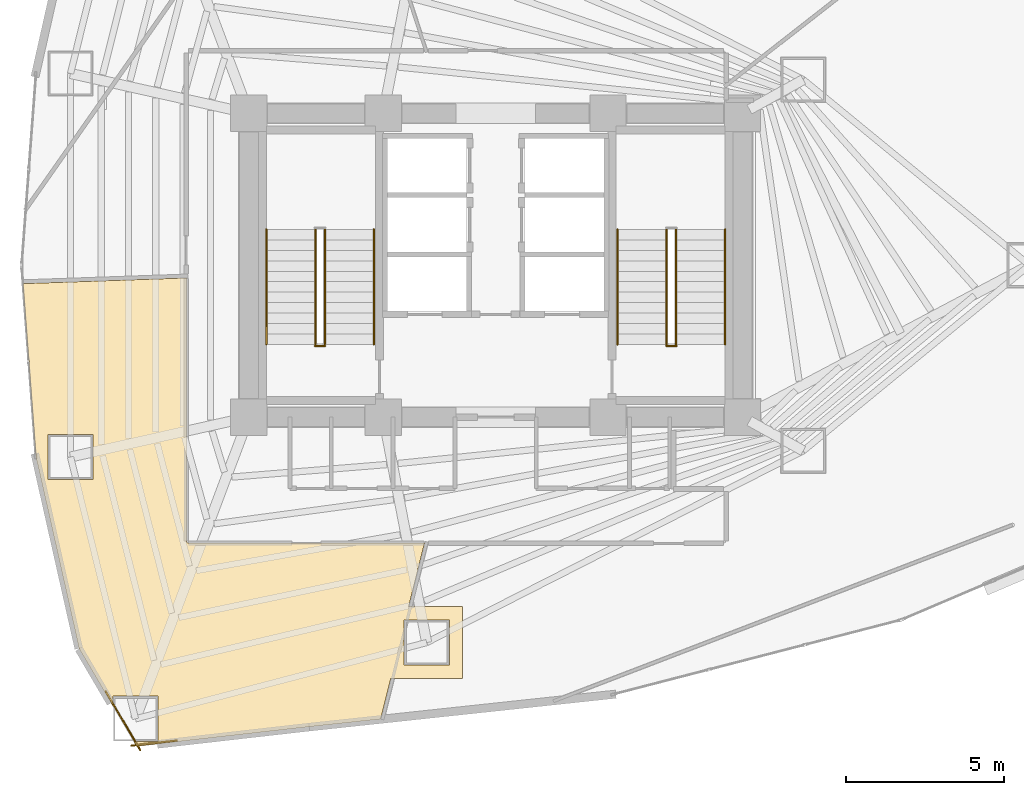
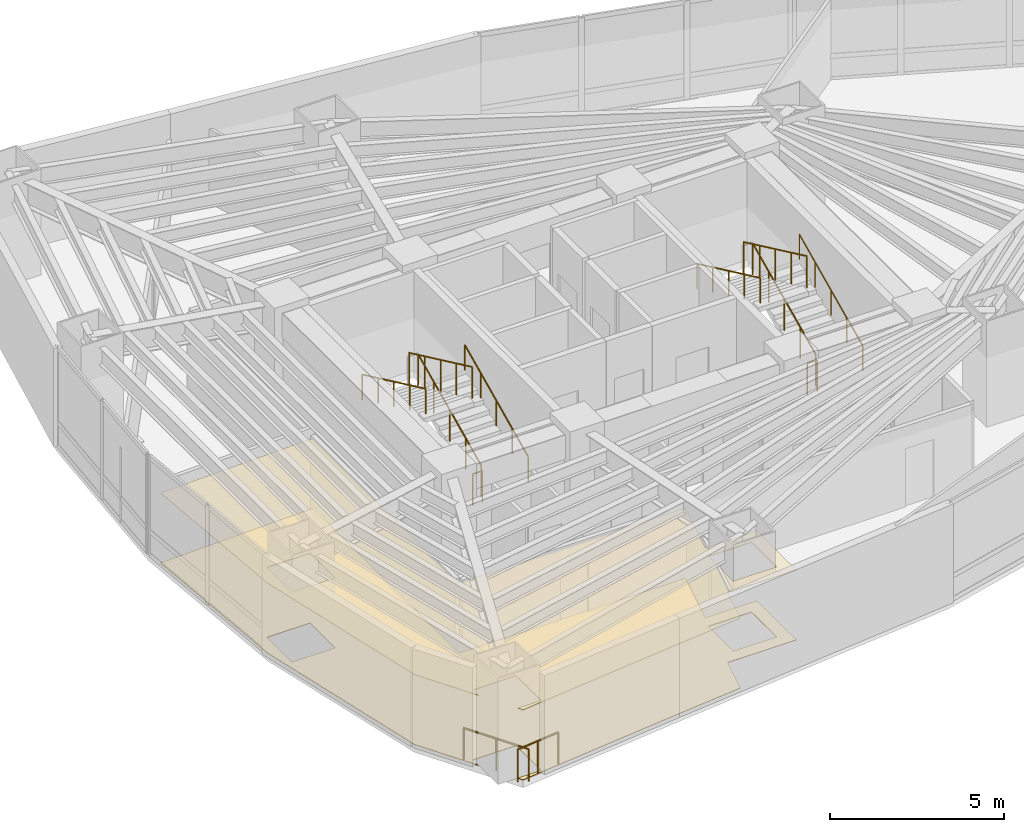
# One storey, part 17 of 20: 12 railings, 2 coverings.
"""IFC4 building model written with IfcOpenShell, lengths in metres."""

from ifc_helpers import new_model, si_unit, direction, frame, origin, origin_2d, place, context, subcontext, project, spatial, polyline, circle, outline, extrude, material, layer, layer_set, type_object, element, save


model = new_model("IFC4")

# Units and contexts
model_context = context("Model", 3, precision=1e-05, world=origin(), true_north=direction((0.0, 1.0)))
body_context = subcontext(model_context, "Body", "Model", "MODEL_VIEW")
ifc_project = project(units=[si_unit("LENGTHUNIT", "METRE"), si_unit("AREAUNIT", "SQUARE_METRE"), si_unit("VOLUMEUNIT", "CUBIC_METRE"), si_unit("PLANEANGLEUNIT", "RADIAN"), si_unit("MASSUNIT", "GRAM", prefix="KILO")], contexts=[model_context])

# Site, building, storey
site_placement = place(None, origin())
site = spatial("IfcSite", under=ifc_project, at=site_placement, CompositionType="ELEMENT")
building_placement = place(site_placement, origin())
building = spatial("IfcBuilding", under=site, at=building_placement, Name="Menara Vayukalpa", CompositionType="ELEMENT")
storey_placement = place(building_placement, frame((0.0, 0.0, 61.080078125)))
storey = spatial("IfcBuildingStorey", under=building, at=storey_placement, Name="L14", CompositionType="ELEMENT", Elevation=61.080078125)

# Coverings
ifc_material_1 = material(Name="Mineral Fibre Acoustic Ceiling Tile", Category="masonry")
ifc_layer_1 = layer(ifc_material_1, 0.02490234375)
ifc_layer_set_1 = layer_set([ifc_layer_1], Name="Mineral Fibre Acoustic Ceiling Tile")
covering_type_1 = type_object("IfcCoveringType", Name="COV-CLG1", PredefinedType="CEILING", material=ifc_layer_set_1)
covering_1_placement = place(storey_placement, frame((0.0, 0.0, 2.449951171875)))
element("IfcCovering", 1, at=covering_1_placement, inside=storey, type_object=covering_type_1, Name="L14 Digital Engineering Lab Acoustic Ceiling", PredefinedType="CEILING", context=body_context, shape_type="SweptSolid", body=[
    extrude(outline(polyline([(24.554443359375, 8.942138671875), (22.284423828125, 8.942138671875), (22.284423828125, 8.94970703125), (21.964111328125, 7.664794921875), (21.963623046875, 7.663818359375), (21.96337890625, 7.662841796875), (21.962890625, 7.661865234375), (21.96240234375, 7.660888671875), (21.961669921875, 7.660400390625), (21.9609375, 7.65966796875), (21.960205078125, 7.658935546875), (21.959228515625, 7.658447265625), (21.958251953125, 7.657958984375), (21.95751953125, 7.65771484375), (21.956298828125, 7.6572265625), (21.955322265625, 7.6572265625), (19.70068359375, 7.415771484375), (19.700439453125, 7.415771484375), (14.258056640625, 6.798583984375), (14.257080078125, 6.79833984375), (14.256103515625, 6.79833984375), (14.255126953125, 6.798583984375), (14.254150390625, 6.798828125), (14.25341796875, 6.799072265625), (14.25244140625, 6.799560546875), (14.251708984375, 6.7998046875), (14.250732421875, 6.800537109375), (14.25, 6.801025390625), (14.24951171875, 6.8017578125), (14.248779296875, 6.802490234375), (14.248291015625, 6.80322265625), (14.16162109375, 6.95068359375), (14.9326171875, 6.95068359375), (14.9326171875, 8.380615234375), (13.502685546875, 8.380615234375), (13.502685546875, 8.07177734375), (12.437744140625, 9.88330078125), (12.437255859375, 9.884033203125), (12.43701171875, 9.885009765625), (12.4365234375, 9.885986328125), (11.07421875, 15.941162109375), (11.073974609375, 15.942626953125), (10.6640625, 21.407958984375), (10.6640625, 21.408935546875), (10.664306640625, 21.409912109375), (10.664306640625, 21.410888671875), (10.66455078125, 21.411865234375), (10.6650390625, 21.412841796875), (10.66552734375, 21.413818359375), (10.666015625, 21.41455078125), (10.666748046875, 21.415283203125), (10.66748046875, 21.416015625), (10.668212890625, 21.416748046875), (10.6689453125, 21.417236328125), (10.669921875, 21.417724609375), (10.6708984375, 21.418212890625), (10.671875, 21.41845703125), (10.672607421875, 21.418701171875), (10.673828125, 21.418701171875), (15.819580078125, 21.598388671875), (15.82080078125, 21.598388671875), (15.82177734375, 21.598388671875), (15.822509765625, 21.597900390625), (15.823486328125, 21.59765625), (15.824462890625, 21.597412109375), (15.825439453125, 21.5966796875), (15.826171875, 21.59619140625), (15.826904296875, 21.595703125), (15.82763671875, 21.594970703125), (15.828125, 21.593994140625), (15.828857421875, 21.59326171875), (15.8291015625, 21.59228515625), (15.82958984375, 21.59130859375), (15.829833984375, 21.59033203125), (15.829833984375, 21.58935546875), (15.830078125, 21.58837890625), (15.830078125, 13.290283203125), (15.830322265625, 13.283203125), (15.831298828125, 13.2763671875), (15.8330078125, 13.269775390625), (15.835205078125, 13.26318359375), (15.838134765625, 13.257080078125), (15.841796875, 13.251220703125), (15.845947265625, 13.24560546875), (15.8505859375, 13.240478515625), (15.85546875, 13.236083984375), (15.861083984375, 13.231689453125), (15.866943359375, 13.228271484375), (15.873291015625, 13.225341796875), (15.879638671875, 13.222900390625), (15.88623046875, 13.22119140625), (15.893310546875, 13.220458984375), (15.900390625, 13.219970703125), (23.336181640625, 13.219970703125), (23.33740234375, 13.219970703125), (23.33837890625, 13.2197265625), (23.33935546875, 13.219482421875), (23.340087890625, 13.21923828125), (23.341064453125, 13.21875), (23.342041015625, 13.21826171875), (23.3427734375, 13.217529296875), (23.343505859375, 13.216796875), (23.34423828125, 13.21630859375), (23.3447265625, 13.21533203125), (23.34521484375, 13.214599609375), (23.345703125, 13.21337890625), (23.345947265625, 13.212646484375), (23.34619140625, 13.211669921875), (23.34619140625, 13.210693359375), (23.34619140625, 13.209716796875), (23.34619140625, 13.20849609375), (23.345947265625, 13.20751953125), (22.848388671875, 11.212158203125), (24.554443359375, 11.212158203125), (24.554443359375, 8.942138671875)]), holes=[polyline([(12.879150390625, 16.655517578125), (11.44921875, 16.655517578125), (11.44921875, 15.225341796875), (12.879150390625, 15.225341796875), (12.879150390625, 16.655517578125)]), polyline([(24.134521484375, 10.792236328125), (22.704345703125, 10.792236328125), (22.704345703125, 9.3623046875), (24.134521484375, 9.3623046875), (24.134521484375, 10.792236328125)])]), origin(), (0.0, 0.0, 1.0), 0.02490234375),
])
ifc_material_2 = material(Name="Porcelain Stoneware Floor Tile", Category="masonry")
ifc_layer_2 = layer(ifc_material_2, 0.02001953125)
ifc_layer_set_2 = layer_set([ifc_layer_2], Name="Porcelain Stoneware Floor Tile")
covering_type_2 = type_object("IfcCoveringType", Name="COV-FLR1", PredefinedType="FLOORING", material=ifc_layer_set_2)
covering_2_placement = place(storey_placement, origin())
element("IfcCovering", 2, at=covering_2_placement, inside=storey, type_object=covering_type_2, Name="L14 Digital Engineering Lab Porcelain Flooring", PredefinedType="FLOORING", context=body_context, shape_type="SweptSolid", body=[
    extrude(outline(polyline([(24.554443359375, 8.942138671875), (22.284423828125, 8.942138671875), (22.284423828125, 8.94970703125), (21.964111328125, 7.664794921875), (21.963623046875, 7.663818359375), (21.96337890625, 7.662841796875), (21.962890625, 7.661865234375), (21.96240234375, 7.660888671875), (21.961669921875, 7.660400390625), (21.9609375, 7.65966796875), (21.960205078125, 7.658935546875), (21.959228515625, 7.658447265625), (21.958251953125, 7.657958984375), (21.95751953125, 7.65771484375), (21.956298828125, 7.6572265625), (21.955322265625, 7.6572265625), (19.70068359375, 7.415771484375), (19.700439453125, 7.415771484375), (14.258056640625, 6.798583984375), (14.257080078125, 6.79833984375), (14.256103515625, 6.79833984375), (14.255126953125, 6.798583984375), (14.254150390625, 6.798828125), (14.25341796875, 6.799072265625), (14.25244140625, 6.799560546875), (14.251708984375, 6.7998046875), (14.250732421875, 6.800537109375), (14.25, 6.801025390625), (14.24951171875, 6.8017578125), (14.248779296875, 6.802490234375), (14.248291015625, 6.80322265625), (14.16162109375, 6.95068359375), (14.9326171875, 6.95068359375), (14.9326171875, 8.380615234375), (13.502685546875, 8.380615234375), (13.502685546875, 8.07177734375), (12.437744140625, 9.88330078125), (12.437255859375, 9.884033203125), (12.43701171875, 9.885009765625), (12.4365234375, 9.885986328125), (11.07421875, 15.941162109375), (11.073974609375, 15.942626953125), (10.6640625, 21.407958984375), (10.6640625, 21.408935546875), (10.664306640625, 21.409912109375), (10.664306640625, 21.410888671875), (10.66455078125, 21.411865234375), (10.6650390625, 21.412841796875), (10.66552734375, 21.413818359375), (10.666015625, 21.41455078125), (10.666748046875, 21.415283203125), (10.66748046875, 21.416015625), (10.668212890625, 21.416748046875), (10.6689453125, 21.417236328125), (10.669921875, 21.417724609375), (10.6708984375, 21.418212890625), (10.671875, 21.41845703125), (10.672607421875, 21.418701171875), (10.673828125, 21.418701171875), (15.819580078125, 21.598388671875), (15.82080078125, 21.598388671875), (15.82177734375, 21.598388671875), (15.822509765625, 21.597900390625), (15.823486328125, 21.59765625), (15.824462890625, 21.597412109375), (15.825439453125, 21.5966796875), (15.826171875, 21.59619140625), (15.826904296875, 21.595703125), (15.82763671875, 21.594970703125), (15.828125, 21.593994140625), (15.828857421875, 21.59326171875), (15.8291015625, 21.59228515625), (15.82958984375, 21.59130859375), (15.829833984375, 21.59033203125), (15.829833984375, 21.58935546875), (15.830078125, 21.58837890625), (15.830078125, 13.290283203125), (15.830322265625, 13.283203125), (15.831298828125, 13.2763671875), (15.8330078125, 13.269775390625), (15.835205078125, 13.26318359375), (15.838134765625, 13.257080078125), (15.841796875, 13.251220703125), (15.845947265625, 13.24560546875), (15.8505859375, 13.240478515625), (15.85546875, 13.236083984375), (15.861083984375, 13.231689453125), (15.866943359375, 13.228271484375), (15.873291015625, 13.225341796875), (15.879638671875, 13.222900390625), (15.88623046875, 13.22119140625), (15.893310546875, 13.220458984375), (15.900390625, 13.219970703125), (23.336181640625, 13.219970703125), (23.33740234375, 13.219970703125), (23.33837890625, 13.2197265625), (23.33935546875, 13.219482421875), (23.340087890625, 13.21923828125), (23.341064453125, 13.21875), (23.342041015625, 13.21826171875), (23.3427734375, 13.217529296875), (23.343505859375, 13.216796875), (23.34423828125, 13.21630859375), (23.3447265625, 13.21533203125), (23.34521484375, 13.214599609375), (23.345703125, 13.21337890625), (23.345947265625, 13.212646484375), (23.34619140625, 13.211669921875), (23.34619140625, 13.210693359375), (23.34619140625, 13.209716796875), (23.34619140625, 13.20849609375), (23.345947265625, 13.20751953125), (22.848388671875, 11.212158203125), (24.554443359375, 11.212158203125), (24.554443359375, 8.942138671875)]), holes=[polyline([(12.879150390625, 16.655517578125), (11.44921875, 16.655517578125), (11.44921875, 15.225341796875), (12.879150390625, 15.225341796875), (12.879150390625, 16.655517578125)]), polyline([(24.134521484375, 10.792236328125), (22.704345703125, 10.792236328125), (22.704345703125, 9.3623046875), (24.134521484375, 9.3623046875), (24.134521484375, 10.792236328125)])]), origin(), (0.0, 0.0, 1.0), 0.02001953125),
])

# Railings
ifc_material_3 = material(Name="Laminated Glass and Stainless Steel 316 Guardrail", Category="steel")
railing_type_1 = type_object("IfcRailingType", Name="RLG-EXT115", PredefinedType="GUARDRAIL", material=ifc_material_3)
railing_1_placement = place(storey_placement, frame((13.27978515625, 8.529541015625, 0.0)))
element("IfcRailing", 3, at=railing_1_placement, inside=storey, type_object=railing_type_1, Name="L14 Column Corner Spandrel Guardrail 13-1", PredefinedType="GUARDRAIL", context=body_context, shape_type="SweptSolid", body=[
    extrude(circle(Radius=0.02392578125, at=origin_2d()), frame((0.0, 0.0, 1.1259765625), z_axis=(0.506816821418, -0.862053774151, 0.0), x_axis=(0.862053774151, 0.506816821418, 0.0)), (0.0, 0.0, 1.0), 2.15185546875),
    extrude(circle(Radius=0.02099609375, at=origin_2d()), origin(), (0.0, 0.0, 1.0), 1.101806640625),
    extrude(circle(Radius=0.02099609375, at=origin_2d()), frame((0.54541015625, -0.927490234375, 0.0)), (0.0, 0.0, 1.0), 1.101806640625),
    extrude(circle(Radius=0.02099609375, at=origin_2d()), frame((1.090576171875, -1.85498046875, 0.0)), (0.0, 0.0, 1.0), 1.101806640625),
])
railing_2_placement = place(storey_placement, frame((14.08154296875, 6.81884765625, 0.0)))
element("IfcRailing", 4, at=railing_2_placement, inside=storey, type_object=railing_type_1, Name="L14 Column Corner Spandrel Guardrail 14-1", PredefinedType="GUARDRAIL", context=body_context, shape_type="SweptSolid", body=[
    extrude(circle(Radius=0.02392578125, at=origin_2d()), frame((0.0, 0.0, 1.1259765625), z_axis=(0.993641249981, 0.112592479038, 0.0), x_axis=(-0.112592479038, 0.993641249981, 0.0)), (0.0, 0.0, 1.0), 1.45068359375),
    extrude(circle(Radius=0.02099609375, at=origin_2d()), origin(), (0.0, 0.0, 1.0), 1.101806640625),
    extrude(circle(Radius=0.02099609375, at=origin_2d()), frame((0.720703125, 0.08154296875, 0.0)), (0.0, 0.0, 1.0), 1.101806640625),
    extrude(circle(Radius=0.02099609375, at=origin_2d()), frame((1.44140625, 0.163330078125, 0.0)), (0.0, 0.0, 1.0), 1.101806640625),
])
ifc_material_4 = material(Name="Powder-Coated Galvanised Steel Guardrail", Category="steel")
railing_type_2 = type_object("IfcRailingType", Name="RLG-STG110", PredefinedType="GUARDRAIL", material=ifc_material_4)
railing_3_placement = place(storey_placement, frame((20.199951171875, 19.5, 0.155029296875)))
element("IfcRailing", 5, at=railing_3_placement, inside=storey, type_object=railing_type_2, Name="L14 ST-1 stair guard 1", PredefinedType="GUARDRAIL", context=body_context, shape_type="SweptSolid", body=[
    extrude(circle(Radius=0.02392578125, at=origin_2d()), frame((0.0, 0.0, 1.09619140625), z_axis=(0.0, 0.90513990983, 0.425113800803), x_axis=(-1.0, 0.0, 0.0)), (0.0, 0.0, 1.0), 4.01025390625),
    extrude(circle(Radius=0.02099609375, at=origin_2d()), origin(), (0.0, 0.0, 1.0), 1.072021484375),
    extrude(circle(Radius=0.02099609375, at=origin_2d()), frame((0.0, 0.907470703125, 0.42626953125)), (0.0, 0.0, 1.0), 1.072021484375),
    extrude(circle(Radius=0.02099609375, at=origin_2d()), frame((0.0, 1.81494140625, 0.8525390625)), (0.0, 0.0, 1.0), 1.072021484375),
    extrude(circle(Radius=0.02099609375, at=origin_2d()), frame((0.0, 2.722412109375, 1.278564453125)), (0.0, 0.0, 1.0), 1.072021484375),
    extrude(circle(Radius=0.02099609375, at=origin_2d()), frame((0.0, 3.6298828125, 1.704833984375)), (0.0, 0.0, 1.0), 1.072021484375),
])
railing_4_placement = place(storey_placement, frame((19.89990234375, 23.1298828125, 2.014892578125)))
element("IfcRailing", 6, at=railing_4_placement, inside=storey, type_object=railing_type_2, Name="L14 ST-1 stair guard 3", PredefinedType="GUARDRAIL", context=body_context, shape_type="SweptSolid", body=[
    extrude(circle(Radius=0.02392578125, at=origin_2d()), frame((0.0, 0.0, 1.09619140625), z_axis=(0.0, -0.90511648382, 0.425163675209), x_axis=(1.0, 0.0, 0.0)), (0.0, 0.0, 1.0), 4.010498046875),
    extrude(circle(Radius=0.02099609375, at=origin_2d()), origin(), (0.0, 0.0, 1.0), 1.072021484375),
    extrude(circle(Radius=0.02099609375, at=origin_2d()), frame((0.0, -0.907470703125, 0.42626953125)), (0.0, 0.0, 1.0), 1.072021484375),
    extrude(circle(Radius=0.02099609375, at=origin_2d()), frame((0.0, -1.81494140625, 0.8525390625)), (0.0, 0.0, 1.0), 1.072021484375),
    extrude(circle(Radius=0.02099609375, at=origin_2d()), frame((0.0, -2.722412109375, 1.27880859375)), (0.0, 0.0, 1.0), 1.072021484375),
    extrude(circle(Radius=0.02099609375, at=origin_2d()), frame((0.0, -3.6298828125, 1.705078125)), (0.0, 0.0, 1.0), 1.072021484375),
])
railing_5_placement = place(storey_placement, frame((20.2099609375, 19.449951171875, 0.0)))
element("IfcRailing", 7, at=railing_5_placement, inside=storey, type_object=railing_type_2, Name="L14 ST-1 stair guard 4", PredefinedType="GUARDRAIL", context=body_context, shape_type="SweptSolid", body=[
    extrude(circle(Radius=0.02392578125, at=origin_2d()), frame((0.0, 0.0, 1.09619140625), z_axis=(-1.0, 0.0, 0.0), x_axis=(0.0, -1.0, 0.0)), (0.0, 0.0, 1.0), 0.320068359375),
    extrude(circle(Radius=0.02099609375, at=origin_2d()), origin(), (0.0, 0.0, 1.0), 1.072021484375),
    extrude(circle(Radius=0.02099609375, at=origin_2d()), frame((-0.320068359375, 0.0, 0.0)), (0.0, 0.0, 1.0), 1.072021484375),
])
railing_6_placement = place(storey_placement, frame((31.300048828125, 19.5, 0.155029296875)))
element("IfcRailing", 8, at=railing_6_placement, inside=storey, type_object=railing_type_2, Name="L14 ST-2 stair guard 1", PredefinedType="GUARDRAIL", context=body_context, shape_type="SweptSolid", body=[
    extrude(circle(Radius=0.02392578125, at=origin_2d()), frame((0.0, 0.0, 1.09619140625), z_axis=(0.0, 0.90513990983, 0.425113800803), x_axis=(-1.0, 0.0, 0.0)), (0.0, 0.0, 1.0), 4.01025390625),
    extrude(circle(Radius=0.02099609375, at=origin_2d()), origin(), (0.0, 0.0, 1.0), 1.072021484375),
    extrude(circle(Radius=0.02099609375, at=origin_2d()), frame((0.0, 0.907470703125, 0.42626953125)), (0.0, 0.0, 1.0), 1.072021484375),
    extrude(circle(Radius=0.02099609375, at=origin_2d()), frame((0.0, 1.81494140625, 0.8525390625)), (0.0, 0.0, 1.0), 1.072021484375),
    extrude(circle(Radius=0.02099609375, at=origin_2d()), frame((0.0, 2.722412109375, 1.278564453125)), (0.0, 0.0, 1.0), 1.072021484375),
    extrude(circle(Radius=0.02099609375, at=origin_2d()), frame((0.0, 3.6298828125, 1.704833984375)), (0.0, 0.0, 1.0), 1.072021484375),
])
railing_7_placement = place(storey_placement, frame((31.0, 23.1298828125, 2.014892578125)))
element("IfcRailing", 9, at=railing_7_placement, inside=storey, type_object=railing_type_2, Name="L14 ST-2 stair guard 3", PredefinedType="GUARDRAIL", context=body_context, shape_type="SweptSolid", body=[
    extrude(circle(Radius=0.02392578125, at=origin_2d()), frame((0.0, 0.0, 1.09619140625), z_axis=(0.0, -0.90511648382, 0.425163675209), x_axis=(1.0, 0.0, 0.0)), (0.0, 0.0, 1.0), 4.010498046875),
    extrude(circle(Radius=0.02099609375, at=origin_2d()), origin(), (0.0, 0.0, 1.0), 1.072021484375),
    extrude(circle(Radius=0.02099609375, at=origin_2d()), frame((0.0, -0.907470703125, 0.42626953125)), (0.0, 0.0, 1.0), 1.072021484375),
    extrude(circle(Radius=0.02099609375, at=origin_2d()), frame((0.0, -1.81494140625, 0.8525390625)), (0.0, 0.0, 1.0), 1.072021484375),
    extrude(circle(Radius=0.02099609375, at=origin_2d()), frame((0.0, -2.722412109375, 1.27880859375)), (0.0, 0.0, 1.0), 1.072021484375),
    extrude(circle(Radius=0.02099609375, at=origin_2d()), frame((0.0, -3.6298828125, 1.705078125)), (0.0, 0.0, 1.0), 1.072021484375),
])
railing_8_placement = place(storey_placement, frame((31.31005859375, 19.449951171875, 0.0)))
element("IfcRailing", 10, at=railing_8_placement, inside=storey, type_object=railing_type_2, Name="L14 ST-2 stair guard 4", PredefinedType="GUARDRAIL", context=body_context, shape_type="SweptSolid", body=[
    extrude(circle(Radius=0.02392578125, at=origin_2d()), frame((0.0, 0.0, 1.09619140625), z_axis=(-1.0, 0.0, 0.0), x_axis=(0.0, -1.0, 0.0)), (0.0, 0.0, 1.0), 0.320068359375),
    extrude(circle(Radius=0.02099609375, at=origin_2d()), origin(), (0.0, 0.0, 1.0), 1.072021484375),
    extrude(circle(Radius=0.02099609375, at=origin_2d()), frame((-0.320068359375, 0.0, 0.0)), (0.0, 0.0, 1.0), 1.072021484375),
])
ifc_material_5 = material(Name="Stainless Steel 316 Tubular Handrail", Category="steel")
railing_type_3 = type_object("IfcRailingType", Name="RLG-STH090", PredefinedType="HANDRAIL", material=ifc_material_5)
railing_9_placement = place(storey_placement, frame((21.75, 19.5, 0.155029296875)))
element("IfcRailing", 11, at=railing_9_placement, inside=storey, type_object=railing_type_3, Name="L14 ST-1 stair handrail 1", PredefinedType="HANDRAIL", context=body_context, shape_type="SweptSolid", body=[
    extrude(circle(Radius=0.02392578125, at=origin_2d()), frame((0.0, 0.0, 0.8759765625), z_axis=(0.0, 0.90513990983, 0.425113800803), x_axis=(-1.0, 0.0, 0.0)), (0.0, 0.0, 1.0), 4.01025390625),
    extrude(circle(Radius=0.02099609375, at=origin_2d()), origin(), (0.0, 0.0, 1.0), 0.851806640625),
    extrude(circle(Radius=0.02099609375, at=origin_2d()), frame((0.0, 0.907470703125, 0.42626953125)), (0.0, 0.0, 1.0), 0.851806640625),
    extrude(circle(Radius=0.02099609375, at=origin_2d()), frame((0.0, 1.81494140625, 0.8525390625)), (0.0, 0.0, 1.0), 0.851806640625),
    extrude(circle(Radius=0.02099609375, at=origin_2d()), frame((0.0, 2.722412109375, 1.278564453125)), (0.0, 0.0, 1.0), 0.851806640625),
    extrude(circle(Radius=0.02099609375, at=origin_2d()), frame((0.0, 3.6298828125, 1.704833984375)), (0.0, 0.0, 1.0), 0.851806640625),
])
railing_10_placement = place(storey_placement, frame((18.35009765625, 23.1298828125, 2.014892578125)))
element("IfcRailing", 12, at=railing_10_placement, inside=storey, type_object=railing_type_3, Name="L14 ST-1 stair handrail 2", PredefinedType="HANDRAIL", context=body_context, shape_type="SweptSolid", body=[
    extrude(circle(Radius=0.02392578125, at=origin_2d()), frame((0.0, 0.0, 0.8759765625), z_axis=(0.0, -0.90511648382, 0.425163675209), x_axis=(1.0, 0.0, 0.0)), (0.0, 0.0, 1.0), 4.010498046875),
    extrude(circle(Radius=0.02099609375, at=origin_2d()), origin(), (0.0, 0.0, 1.0), 0.851806640625),
    extrude(circle(Radius=0.02099609375, at=origin_2d()), frame((0.0, -0.907470703125, 0.42626953125)), (0.0, 0.0, 1.0), 0.851806640625),
    extrude(circle(Radius=0.02099609375, at=origin_2d()), frame((0.0, -1.81494140625, 0.8525390625)), (0.0, 0.0, 1.0), 0.851806640625),
    extrude(circle(Radius=0.02099609375, at=origin_2d()), frame((0.0, -2.722412109375, 1.27880859375)), (0.0, 0.0, 1.0), 0.851806640625),
    extrude(circle(Radius=0.02099609375, at=origin_2d()), frame((0.0, -3.6298828125, 1.705078125)), (0.0, 0.0, 1.0), 0.851806640625),
])
railing_11_placement = place(storey_placement, frame((32.85009765625, 19.5, 0.155029296875)))
element("IfcRailing", 13, at=railing_11_placement, inside=storey, type_object=railing_type_3, Name="L14 ST-2 stair handrail 1", PredefinedType="HANDRAIL", context=body_context, shape_type="SweptSolid", body=[
    extrude(circle(Radius=0.02392578125, at=origin_2d()), frame((0.0, 0.0, 0.8759765625), z_axis=(0.0, 0.90513990983, 0.425113800803), x_axis=(-1.0, 0.0, 0.0)), (0.0, 0.0, 1.0), 4.01025390625),
    extrude(circle(Radius=0.02099609375, at=origin_2d()), origin(), (0.0, 0.0, 1.0), 0.851806640625),
    extrude(circle(Radius=0.02099609375, at=origin_2d()), frame((0.0, 0.907470703125, 0.42626953125)), (0.0, 0.0, 1.0), 0.851806640625),
    extrude(circle(Radius=0.02099609375, at=origin_2d()), frame((0.0, 1.81494140625, 0.8525390625)), (0.0, 0.0, 1.0), 0.851806640625),
    extrude(circle(Radius=0.02099609375, at=origin_2d()), frame((0.0, 2.722412109375, 1.278564453125)), (0.0, 0.0, 1.0), 0.851806640625),
    extrude(circle(Radius=0.02099609375, at=origin_2d()), frame((0.0, 3.6298828125, 1.704833984375)), (0.0, 0.0, 1.0), 0.851806640625),
])
railing_12_placement = place(storey_placement, frame((29.449951171875, 23.1298828125, 2.014892578125)))
element("IfcRailing", 14, at=railing_12_placement, inside=storey, type_object=railing_type_3, Name="L14 ST-2 stair handrail 2", PredefinedType="HANDRAIL", context=body_context, shape_type="SweptSolid", body=[
    extrude(circle(Radius=0.02392578125, at=origin_2d()), frame((0.0, 0.0, 0.8759765625), z_axis=(0.0, -0.90511648382, 0.425163675209), x_axis=(1.0, 0.0, 0.0)), (0.0, 0.0, 1.0), 4.010498046875),
    extrude(circle(Radius=0.02099609375, at=origin_2d()), origin(), (0.0, 0.0, 1.0), 0.851806640625),
    extrude(circle(Radius=0.02099609375, at=origin_2d()), frame((0.0, -0.907470703125, 0.42626953125)), (0.0, 0.0, 1.0), 0.851806640625),
    extrude(circle(Radius=0.02099609375, at=origin_2d()), frame((0.0, -1.81494140625, 0.8525390625)), (0.0, 0.0, 1.0), 0.851806640625),
    extrude(circle(Radius=0.02099609375, at=origin_2d()), frame((0.0, -2.722412109375, 1.27880859375)), (0.0, 0.0, 1.0), 0.851806640625),
    extrude(circle(Radius=0.02099609375, at=origin_2d()), frame((0.0, -3.6298828125, 1.705078125)), (0.0, 0.0, 1.0), 0.851806640625),
])

save(model, "model.ifc")
